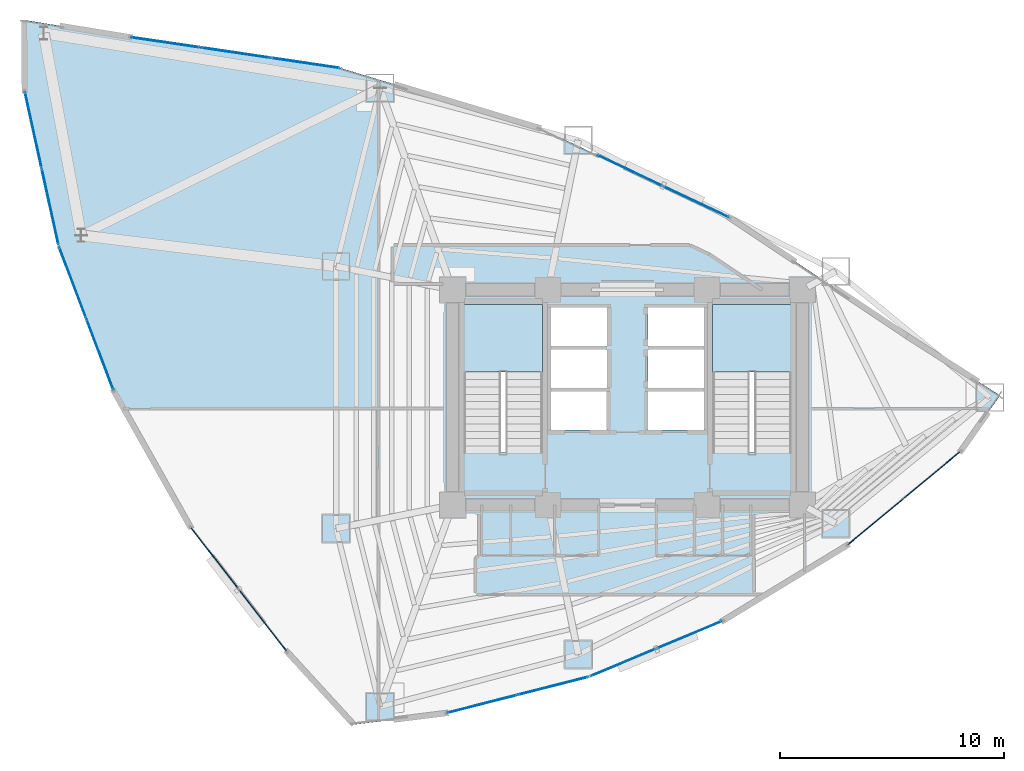
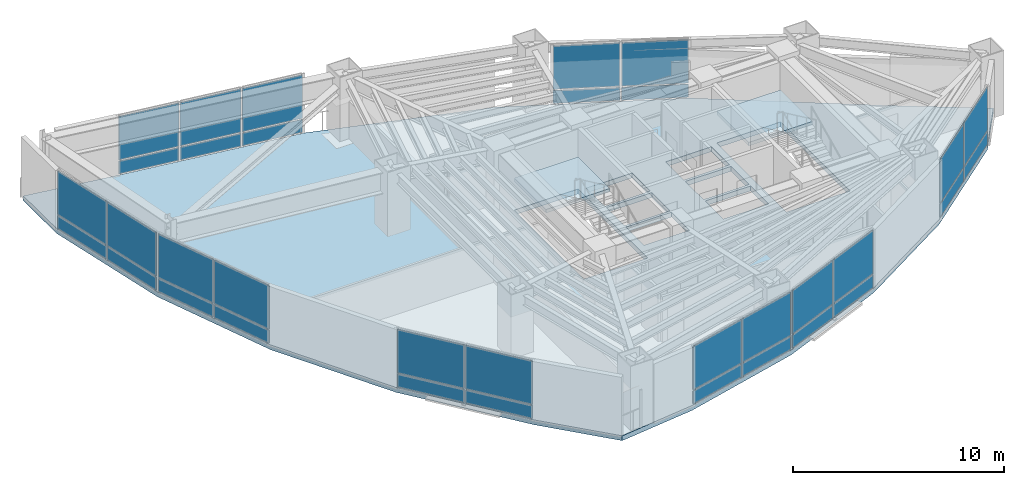
# One storey, part 18 of 23: 34 plates, 3 slabs, 10 elements without a shape of their own.
"""IFC4 building model written with IfcOpenShell, lengths in metres."""

from ifc_helpers import new_model, si_unit, direction, frame, origin, origin_2d, place, context, subcontext, project, spatial, polyline, rectangle, outline, extrude, material, layer, layer_set, type_object, element, aggregate, save


model = new_model("IFC4")

# Units and contexts
model_context = context("Model", 3, precision=1e-05, world=origin(), true_north=direction((0.0, 1.0)))
body_context = subcontext(model_context, "Body", "Model", "MODEL_VIEW")
ifc_project = project(units=[si_unit("LENGTHUNIT", "METRE"), si_unit("AREAUNIT", "SQUARE_METRE"), si_unit("VOLUMEUNIT", "CUBIC_METRE"), si_unit("PLANEANGLEUNIT", "RADIAN"), si_unit("MASSUNIT", "GRAM", prefix="KILO")], contexts=[model_context])

# Site, building, storey
site_placement = place(None, origin())
site = spatial("IfcSite", under=ifc_project, at=site_placement, CompositionType="ELEMENT")
building_placement = place(site_placement, origin())
building = spatial("IfcBuilding", under=site, at=building_placement, Name="Menara Vayukalpa", CompositionType="ELEMENT")
storey_placement = place(building_placement, frame((0.0, 0.0, 103.97998046875)))
storey = spatial("IfcBuildingStorey", under=building, at=storey_placement, Name="L25", CompositionType="ELEMENT", Elevation=103.97998046875)

# Curtain wall, plates
ifc_material_1 = material(Name="Anodised Terracotta Aluminium Alloy 6063-T6", Category="masonry")
ifc_layer_1 = layer(ifc_material_1, 0.179931640625)
ifc_layer_set_1 = layer_set([ifc_layer_1], Name="Anodised Terracotta Aluminium Alloy 6063-T6")
curtain_wall_type = type_object("IfcCurtainWallType", Name="CW-CW4", PredefinedType="USERDEFINED", material=ifc_layer_set_1)
curtain_wall_1_placement = place(storey_placement, origin())
curtain_wall_1 = element("IfcCurtainWall", 1, at=curtain_wall_1_placement, inside=storey, type_object=curtain_wall_type, Name="L25 Sky Bar Cantilever Glazed Curtain Wall CW4 05", ObjectType="UNITISED", PredefinedType="USERDEFINED")
ifc_material_2 = material(Name="Low-E Double Glazing", Category="glass")
ifc_layer_2 = layer(ifc_material_2, 0.0380859375)
ifc_layer_set_2 = layer_set([ifc_layer_2], Name="Low-E Double Glazing")
plate_type = type_object("IfcPlateType", Name="CWP-CW4", PredefinedType="CURTAIN_PANEL", material=ifc_layer_set_2)
plate_1_placement = place(storey_placement, frame((28.653076171875, 30.7216796875, 0.070068359375), z_axis=(0.0, 0.0, 1.0), x_axis=(-0.903839947796, 0.427870715016, 0.0)))
plate_1 = element("IfcPlate", 2, at=plate_1_placement, type_object=plate_type, Name="CW4 panel 1.1", PredefinedType="CURTAIN_PANEL", context=body_context, shape_type="SweptSolid", body=[
    extrude(rectangle(XDim=3.18701171875, YDim=0.0380859375, at=origin_2d()), origin(), (0.0, 0.0, 1.0), 0.7451171875),
])
plate_2_placement = place(storey_placement, frame((28.653076171875, 30.7216796875, 0.88525390625), z_axis=(0.0, 0.0, 1.0), x_axis=(-0.903839947796, 0.427870715016, 0.0)))
plate_2 = element("IfcPlate", 3, at=plate_2_placement, type_object=plate_type, Name="CW4 panel 1.2", PredefinedType="CURTAIN_PANEL", context=body_context, shape_type="SweptSolid", body=[
    extrude(rectangle(XDim=3.18701171875, YDim=0.0380859375, at=origin_2d()), origin(), (0.0, 0.0, 1.0), 2.514892578125),
])
plate_3_placement = place(storey_placement, frame((25.704833984375, 32.1171875, 0.070068359375), z_axis=(0.0, 0.0, 1.0), x_axis=(-0.903839947796, 0.427870715016, 0.0)))
plate_3 = element("IfcPlate", 4, at=plate_3_placement, type_object=plate_type, Name="CW4 panel 2.1", PredefinedType="CURTAIN_PANEL", context=body_context, shape_type="SweptSolid", body=[
    extrude(rectangle(XDim=3.18701171875, YDim=0.0380859375, at=origin_2d()), origin(), (0.0, 0.0, 1.0), 0.7451171875),
])
plate_4_placement = place(storey_placement, frame((25.704833984375, 32.1171875, 0.88525390625), z_axis=(0.0, 0.0, 1.0), x_axis=(-0.903839947796, 0.427870715016, 0.0)))
plate_4 = element("IfcPlate", 5, at=plate_4_placement, type_object=plate_type, Name="CW4 panel 2.2", PredefinedType="CURTAIN_PANEL", context=body_context, shape_type="SweptSolid", body=[
    extrude(rectangle(XDim=3.18701171875, YDim=0.0380859375, at=origin_2d()), origin(), (0.0, 0.0, 1.0), 2.514892578125),
])
aggregate(curtain_wall_1, [plate_1, plate_2, plate_3, plate_4])

curtain_wall_2_placement = place(storey_placement, origin())
curtain_wall_2 = element("IfcCurtainWall", 6, at=curtain_wall_2_placement, inside=storey, type_object=curtain_wall_type, Name="L25 Sky Bar Cantilever Glazed Curtain Wall CW4 07", ObjectType="UNITISED", PredefinedType="USERDEFINED")
plate_5_placement = place(storey_placement, frame((11.241455078125, 36.909423828125, 0.070068359375), z_axis=(0.0, 0.0, 1.0), x_axis=(-0.989365495659, 0.145450733924, 0.0)))
plate_5 = element("IfcPlate", 7, at=plate_5_placement, type_object=plate_type, Name="CW4 panel 1.1", PredefinedType="CURTAIN_PANEL", context=body_context, shape_type="SweptSolid", body=[
    extrude(rectangle(XDim=3.06005859375, YDim=0.0380859375, at=origin_2d()), origin(), (0.0, 0.0, 1.0), 0.7451171875),
])
plate_6_placement = place(storey_placement, frame((11.241455078125, 36.909423828125, 0.88525390625), z_axis=(0.0, 0.0, 1.0), x_axis=(-0.989365495659, 0.145450733924, 0.0)))
plate_6 = element("IfcPlate", 8, at=plate_6_placement, type_object=plate_type, Name="CW4 panel 1.2", PredefinedType="CURTAIN_PANEL", context=body_context, shape_type="SweptSolid", body=[
    extrude(rectangle(XDim=3.06005859375, YDim=0.0380859375, at=origin_2d()), origin(), (0.0, 0.0, 1.0), 2.514892578125),
])
plate_7_placement = place(storey_placement, frame((8.121337890625, 37.3681640625, 0.070068359375), z_axis=(0.0, 0.0, 1.0), x_axis=(-0.989365495659, 0.145450733924, 0.0)))
plate_7 = element("IfcPlate", 9, at=plate_7_placement, type_object=plate_type, Name="CW4 panel 2.1", PredefinedType="CURTAIN_PANEL", context=body_context, shape_type="SweptSolid", body=[
    extrude(rectangle(XDim=3.097412109375, YDim=0.0380859375, at=origin_2d()), origin(), (0.0, 0.0, 1.0), 0.7451171875),
])
plate_8_placement = place(storey_placement, frame((8.121337890625, 37.3681640625, 0.88525390625), z_axis=(0.0, 0.0, 1.0), x_axis=(-0.989365495659, 0.145450733924, 0.0)))
plate_8 = element("IfcPlate", 10, at=plate_8_placement, type_object=plate_type, Name="CW4 panel 2.2", PredefinedType="CURTAIN_PANEL", context=body_context, shape_type="SweptSolid", body=[
    extrude(rectangle(XDim=3.097412109375, YDim=0.0380859375, at=origin_2d()), origin(), (0.0, 0.0, 1.0), 2.514892578125),
])
plate_9_placement = place(storey_placement, frame((5.001220703125, 37.826904296875, 0.070068359375), z_axis=(0.0, 0.0, 1.0), x_axis=(-0.989365495659, 0.145450733924, 0.0)))
plate_9 = element("IfcPlate", 11, at=plate_9_placement, type_object=plate_type, Name="CW4 panel 3.1", PredefinedType="CURTAIN_PANEL", context=body_context, shape_type="SweptSolid", body=[
    extrude(rectangle(XDim=3.06005859375, YDim=0.0380859375, at=origin_2d()), origin(), (0.0, 0.0, 1.0), 0.7451171875),
])
plate_10_placement = place(storey_placement, frame((5.001220703125, 37.826904296875, 0.88525390625), z_axis=(0.0, 0.0, 1.0), x_axis=(-0.989365495659, 0.145450733924, 0.0)))
plate_10 = element("IfcPlate", 12, at=plate_10_placement, type_object=plate_type, Name="CW4 panel 3.2", PredefinedType="CURTAIN_PANEL", context=body_context, shape_type="SweptSolid", body=[
    extrude(rectangle(XDim=3.06005859375, YDim=0.0380859375, at=origin_2d()), origin(), (0.0, 0.0, 1.0), 2.514892578125),
])
aggregate(curtain_wall_2, [plate_5, plate_6, plate_7, plate_8, plate_9, plate_10])

curtain_wall_3_placement = place(storey_placement, origin())
curtain_wall_3 = element("IfcCurtainWall", 13, at=curtain_wall_3_placement, inside=storey, type_object=curtain_wall_type, Name="L25 Sky Bar Cantilever Glazed Curtain Wall CW4 10", ObjectType="UNITISED", PredefinedType="USERDEFINED")
plate_11_placement = place(storey_placement, frame((-0.8916015625, 33.92529296875, 0.070068359375), z_axis=(0.0, 0.0, 1.0), x_axis=(0.214510159112, -0.976721757533, 0.0)))
plate_11 = element("IfcPlate", 14, at=plate_11_placement, type_object=plate_type, Name="CW4 panel 1.1", PredefinedType="CURTAIN_PANEL", context=body_context, shape_type="SweptSolid", body=[
    extrude(rectangle(XDim=3.427734375, YDim=0.0380859375, at=origin_2d()), origin(), (0.0, 0.0, 1.0), 0.7451171875),
])
plate_12_placement = place(storey_placement, frame((-0.8916015625, 33.92529296875, 0.88525390625), z_axis=(0.0, 0.0, 1.0), x_axis=(0.214510159112, -0.976721757533, 0.0)))
plate_12 = element("IfcPlate", 15, at=plate_12_placement, type_object=plate_type, Name="CW4 panel 1.2", PredefinedType="CURTAIN_PANEL", context=body_context, shape_type="SweptSolid", body=[
    extrude(rectangle(XDim=3.427734375, YDim=0.0380859375, at=origin_2d()), origin(), (0.0, 0.0, 1.0), 2.514892578125),
])
plate_13_placement = place(storey_placement, frame((-0.14013671875, 30.50439453125, 0.070068359375), z_axis=(0.0, 0.0, 1.0), x_axis=(0.214510159112, -0.976721757533, 0.0)))
plate_13 = element("IfcPlate", 16, at=plate_13_placement, type_object=plate_type, Name="CW4 panel 2.1", PredefinedType="CURTAIN_PANEL", context=body_context, shape_type="SweptSolid", body=[
    extrude(rectangle(XDim=3.427734375, YDim=0.0380859375, at=origin_2d()), origin(), (0.0, 0.0, 1.0), 0.7451171875),
])
plate_14_placement = place(storey_placement, frame((-0.14013671875, 30.50439453125, 0.88525390625), z_axis=(0.0, 0.0, 1.0), x_axis=(0.214510159112, -0.976721757533, 0.0)))
plate_14 = element("IfcPlate", 17, at=plate_14_placement, type_object=plate_type, Name="CW4 panel 2.2", PredefinedType="CURTAIN_PANEL", context=body_context, shape_type="SweptSolid", body=[
    extrude(rectangle(XDim=3.427734375, YDim=0.0380859375, at=origin_2d()), origin(), (0.0, 0.0, 1.0), 2.514892578125),
])
aggregate(curtain_wall_3, [plate_11, plate_12, plate_13, plate_14])

curtain_wall_4_placement = place(storey_placement, origin())
curtain_wall_4 = element("IfcCurtainWall", 18, at=curtain_wall_4_placement, inside=storey, type_object=curtain_wall_type, Name="L25 Sky Bar Cantilever Glazed Curtain Wall CW4 11", ObjectType="UNITISED", PredefinedType="USERDEFINED")
plate_15_placement = place(storey_placement, frame((0.864501953125, 27.120361328125, 0.070068359375), z_axis=(0.0, 0.0, 1.0), x_axis=(0.354742140657, -0.934964177732, 0.0)))
plate_15 = element("IfcPlate", 19, at=plate_15_placement, type_object=plate_type, Name="CW4 panel 1.1", PredefinedType="CURTAIN_PANEL", context=body_context, shape_type="SweptSolid", body=[
    extrude(rectangle(XDim=3.35107421875, YDim=0.0380859375, at=origin_2d()), origin(), (0.0, 0.0, 1.0), 0.7451171875),
])
plate_16_placement = place(storey_placement, frame((0.864501953125, 27.120361328125, 0.88525390625), z_axis=(0.0, 0.0, 1.0), x_axis=(0.354742140657, -0.934964177732, 0.0)))
plate_16 = element("IfcPlate", 20, at=plate_16_placement, type_object=plate_type, Name="CW4 panel 1.2", PredefinedType="CURTAIN_PANEL", context=body_context, shape_type="SweptSolid", body=[
    extrude(rectangle(XDim=3.35107421875, YDim=0.0380859375, at=origin_2d()), origin(), (0.0, 0.0, 1.0), 2.514892578125),
])
plate_17_placement = place(storey_placement, frame((2.079833984375, 23.917236328125, 0.070068359375), z_axis=(0.0, 0.0, 1.0), x_axis=(0.354742140657, -0.934964177732, 0.0)))
plate_17 = element("IfcPlate", 21, at=plate_17_placement, type_object=plate_type, Name="CW4 panel 2.1", PredefinedType="CURTAIN_PANEL", context=body_context, shape_type="SweptSolid", body=[
    extrude(rectangle(XDim=3.35107421875, YDim=0.0380859375, at=origin_2d()), origin(), (0.0, 0.0, 1.0), 0.7451171875),
])
plate_18_placement = place(storey_placement, frame((2.079833984375, 23.917236328125, 0.88525390625), z_axis=(0.0, 0.0, 1.0), x_axis=(0.354742140657, -0.934964177732, 0.0)))
plate_18 = element("IfcPlate", 22, at=plate_18_placement, type_object=plate_type, Name="CW4 panel 2.2", PredefinedType="CURTAIN_PANEL", context=body_context, shape_type="SweptSolid", body=[
    extrude(rectangle(XDim=3.35107421875, YDim=0.0380859375, at=origin_2d()), origin(), (0.0, 0.0, 1.0), 2.514892578125),
])
aggregate(curtain_wall_4, [plate_15, plate_16, plate_17, plate_18])

curtain_wall_5_placement = place(storey_placement, origin())
curtain_wall_5 = element("IfcCurtainWall", 23, at=curtain_wall_5_placement, inside=storey, type_object=curtain_wall_type, Name="L25 Sky Bar Cantilever Glazed Curtain Wall CW4 13", ObjectType="UNITISED", PredefinedType="USERDEFINED")
plate_19_placement = place(storey_placement, frame((7.19189453125, 14.82861328125, 0.070068359375), z_axis=(0.0, 0.0, 1.0), x_axis=(0.612188860273, -0.790711577857, 0.0)))
plate_19 = element("IfcPlate", 24, at=plate_19_placement, type_object=plate_type, Name="CW4 panel 1.1", PredefinedType="CURTAIN_PANEL", context=body_context, shape_type="SweptSolid", body=[
    extrude(rectangle(XDim=3.427734375, YDim=0.0380859375, at=origin_2d()), origin(), (0.0, 0.0, 1.0), 0.7451171875),
])
plate_20_placement = place(storey_placement, frame((7.19189453125, 14.82861328125, 0.88525390625), z_axis=(0.0, 0.0, 1.0), x_axis=(0.612188860273, -0.790711577857, 0.0)))
plate_20 = element("IfcPlate", 25, at=plate_20_placement, type_object=plate_type, Name="CW4 panel 1.2", PredefinedType="CURTAIN_PANEL", context=body_context, shape_type="SweptSolid", body=[
    extrude(rectangle(XDim=3.427734375, YDim=0.0380859375, at=origin_2d()), origin(), (0.0, 0.0, 1.0), 2.514892578125),
])
plate_21_placement = place(storey_placement, frame((9.336181640625, 12.05908203125, 0.070068359375), z_axis=(0.0, 0.0, 1.0), x_axis=(0.612188860273, -0.790711577857, 0.0)))
plate_21 = element("IfcPlate", 26, at=plate_21_placement, type_object=plate_type, Name="CW4 panel 2.1", PredefinedType="CURTAIN_PANEL", context=body_context, shape_type="SweptSolid", body=[
    extrude(rectangle(XDim=3.427734375, YDim=0.0380859375, at=origin_2d()), origin(), (0.0, 0.0, 1.0), 0.7451171875),
])
plate_22_placement = place(storey_placement, frame((9.336181640625, 12.05908203125, 0.88525390625), z_axis=(0.0, 0.0, 1.0), x_axis=(0.612188860273, -0.790711577857, 0.0)))
plate_22 = element("IfcPlate", 27, at=plate_22_placement, type_object=plate_type, Name="CW4 panel 2.2", PredefinedType="CURTAIN_PANEL", context=body_context, shape_type="SweptSolid", body=[
    extrude(rectangle(XDim=3.427734375, YDim=0.0380859375, at=origin_2d()), origin(), (0.0, 0.0, 1.0), 2.514892578125),
])
aggregate(curtain_wall_5, [plate_19, plate_20, plate_21, plate_22])

curtain_wall_6_placement = place(storey_placement, origin())
curtain_wall_6 = element("IfcCurtainWall", 28, at=curtain_wall_6_placement, inside=storey, type_object=curtain_wall_type, Name="L25 Sky Bar Cantilever Glazed Curtain Wall CW4 16", ObjectType="UNITISED", PredefinedType="USERDEFINED")
plate_23_placement = place(storey_placement, frame((19.1279296875, 8.33349609375, 0.070068359375), z_axis=(0.0, 0.0, 1.0), x_axis=(0.968982181476, 0.247130597017, 0.0)))
plate_23 = element("IfcPlate", 29, at=plate_23_placement, type_object=plate_type, Name="CW4 panel 1.1", PredefinedType="CURTAIN_PANEL", context=body_context, shape_type="SweptSolid", body=[
    extrude(rectangle(XDim=3.1884765625, YDim=0.0380859375, at=origin_2d()), origin(), (0.0, 0.0, 1.0), 0.7451171875),
])
plate_24_placement = place(storey_placement, frame((19.1279296875, 8.33349609375, 0.88525390625), z_axis=(0.0, 0.0, 1.0), x_axis=(0.968982181476, 0.247130597017, 0.0)))
plate_24 = element("IfcPlate", 30, at=plate_24_placement, type_object=plate_type, Name="CW4 panel 1.2", PredefinedType="CURTAIN_PANEL", context=body_context, shape_type="SweptSolid", body=[
    extrude(rectangle(XDim=3.1884765625, YDim=0.0380859375, at=origin_2d()), origin(), (0.0, 0.0, 1.0), 2.514892578125),
])
plate_25_placement = place(storey_placement, frame((22.2900390625, 9.139892578125, 0.070068359375), z_axis=(0.0, 0.0, 1.0), x_axis=(0.968982181476, 0.247130597017, 0.0)))
plate_25 = element("IfcPlate", 31, at=plate_25_placement, type_object=plate_type, Name="CW4 panel 2.1", PredefinedType="CURTAIN_PANEL", context=body_context, shape_type="SweptSolid", body=[
    extrude(rectangle(XDim=3.1884765625, YDim=0.0380859375, at=origin_2d()), origin(), (0.0, 0.0, 1.0), 0.7451171875),
])
plate_26_placement = place(storey_placement, frame((22.2900390625, 9.139892578125, 0.88525390625), z_axis=(0.0, 0.0, 1.0), x_axis=(0.968982181476, 0.247130597017, 0.0)))
plate_26 = element("IfcPlate", 32, at=plate_26_placement, type_object=plate_type, Name="CW4 panel 2.2", PredefinedType="CURTAIN_PANEL", context=body_context, shape_type="SweptSolid", body=[
    extrude(rectangle(XDim=3.1884765625, YDim=0.0380859375, at=origin_2d()), origin(), (0.0, 0.0, 1.0), 2.514892578125),
])
aggregate(curtain_wall_6, [plate_23, plate_24, plate_25, plate_26])

curtain_wall_7_placement = place(storey_placement, origin())
curtain_wall_7 = element("IfcCurtainWall", 33, at=curtain_wall_7_placement, inside=storey, type_object=curtain_wall_type, Name="L25 Sky Bar Cantilever Glazed Curtain Wall CW4 17", ObjectType="UNITISED", PredefinedType="USERDEFINED")
plate_27_placement = place(storey_placement, frame((25.414306640625, 10.1826171875, 0.070068359375), z_axis=(0.0, 0.0, 1.0), x_axis=(0.922543300632, 0.38589358437, 0.0)))
plate_27 = element("IfcPlate", 34, at=plate_27_placement, type_object=plate_type, Name="CW4 panel 1.1", PredefinedType="CURTAIN_PANEL", context=body_context, shape_type="SweptSolid", body=[
    extrude(rectangle(XDim=3.116943359375, YDim=0.0380859375, at=origin_2d()), origin(), (0.0, 0.0, 1.0), 0.7451171875),
])
plate_28_placement = place(storey_placement, frame((25.414306640625, 10.1826171875, 0.88525390625), z_axis=(0.0, 0.0, 1.0), x_axis=(0.922543300632, 0.38589358437, 0.0)))
plate_28 = element("IfcPlate", 35, at=plate_28_placement, type_object=plate_type, Name="CW4 panel 1.2", PredefinedType="CURTAIN_PANEL", context=body_context, shape_type="SweptSolid", body=[
    extrude(rectangle(XDim=3.116943359375, YDim=0.0380859375, at=origin_2d()), origin(), (0.0, 0.0, 1.0), 2.514892578125),
])
plate_29_placement = place(storey_placement, frame((28.35888671875, 11.41455078125, 0.070068359375), z_axis=(0.0, 0.0, 1.0), x_axis=(0.922543300632, 0.38589358437, 0.0)))
plate_29 = element("IfcPlate", 36, at=plate_29_placement, type_object=plate_type, Name="CW4 panel 2.1", PredefinedType="CURTAIN_PANEL", context=body_context, shape_type="SweptSolid", body=[
    extrude(rectangle(XDim=3.116943359375, YDim=0.0380859375, at=origin_2d()), origin(), (0.0, 0.0, 1.0), 0.7451171875),
])
plate_30_placement = place(storey_placement, frame((28.35888671875, 11.41455078125, 0.88525390625), z_axis=(0.0, 0.0, 1.0), x_axis=(0.922543300632, 0.38589358437, 0.0)))
plate_30 = element("IfcPlate", 37, at=plate_30_placement, type_object=plate_type, Name="CW4 panel 2.2", PredefinedType="CURTAIN_PANEL", context=body_context, shape_type="SweptSolid", body=[
    extrude(rectangle(XDim=3.116943359375, YDim=0.0380859375, at=origin_2d()), origin(), (0.0, 0.0, 1.0), 2.514892578125),
])
aggregate(curtain_wall_7, [plate_27, plate_28, plate_29, plate_30])

curtain_wall_8_placement = place(storey_placement, origin())
curtain_wall_8 = element("IfcCurtainWall", 38, at=curtain_wall_8_placement, inside=storey, type_object=curtain_wall_type, Name="L25 Sky Bar Cantilever Glazed Curtain Wall CW4 19", ObjectType="UNITISED", PredefinedType="USERDEFINED")
plate_31_placement = place(storey_placement, frame((36.6708984375, 16.463623046875, 0.070068359375), z_axis=(0.0, 0.0, 1.0), x_axis=(0.769749972797, 0.638345501574, 0.0)))
plate_31 = element("IfcPlate", 39, at=plate_31_placement, type_object=plate_type, Name="CW4 panel 1.1", PredefinedType="CURTAIN_PANEL", context=body_context, shape_type="SweptSolid", body=[
    extrude(rectangle(XDim=3.1884765625, YDim=0.0380859375, at=origin_2d()), origin(), (0.0, 0.0, 1.0), 0.7451171875),
])
plate_32_placement = place(storey_placement, frame((36.6708984375, 16.463623046875, 0.88525390625), z_axis=(0.0, 0.0, 1.0), x_axis=(0.769749972797, 0.638345501574, 0.0)))
plate_32 = element("IfcPlate", 40, at=plate_32_placement, type_object=plate_type, Name="CW4 panel 1.2", PredefinedType="CURTAIN_PANEL", context=body_context, shape_type="SweptSolid", body=[
    extrude(rectangle(XDim=3.1884765625, YDim=0.0380859375, at=origin_2d()), origin(), (0.0, 0.0, 1.0), 2.514892578125),
])
plate_33_placement = place(storey_placement, frame((39.182861328125, 18.546875, 0.070068359375), z_axis=(0.0, 0.0, 1.0), x_axis=(0.769749972797, 0.638345501574, 0.0)))
plate_33 = element("IfcPlate", 41, at=plate_33_placement, type_object=plate_type, Name="CW4 panel 2.1", PredefinedType="CURTAIN_PANEL", context=body_context, shape_type="SweptSolid", body=[
    extrude(rectangle(XDim=3.1884765625, YDim=0.0380859375, at=origin_2d()), origin(), (0.0, 0.0, 1.0), 0.7451171875),
])
plate_34_placement = place(storey_placement, frame((39.182861328125, 18.546875, 0.88525390625), z_axis=(0.0, 0.0, 1.0), x_axis=(0.769749972797, 0.638345501574, 0.0)))
plate_34 = element("IfcPlate", 42, at=plate_34_placement, type_object=plate_type, Name="CW4 panel 2.2", PredefinedType="CURTAIN_PANEL", context=body_context, shape_type="SweptSolid", body=[
    extrude(rectangle(XDim=3.1884765625, YDim=0.0380859375, at=origin_2d()), origin(), (0.0, 0.0, 1.0), 2.514892578125),
])
aggregate(curtain_wall_8, [plate_31, plate_32, plate_33, plate_34])

# Slab
ifc_material_3 = material(Name="Concrete C40/50", Category="concrete")
ifc_layer_3 = layer(ifc_material_3, 0.280029296875)
ifc_layer_set_3 = layer_set([ifc_layer_3], Name="Concrete C40/50")
slab_type_1 = type_object("IfcSlabType", Name="SLB-FL280", PredefinedType="FLOOR", material=ifc_layer_set_3)
slab_1_placement = place(storey_placement, frame((0.0, 0.0, -0.280029296875)))
element("IfcSlab", 43, at=slab_1_placement, inside=storey, type_object=slab_type_1, Name="L25 Sky Bar Structural Floor Slab", PredefinedType="FLOOR", context=body_context, shape_type="SweptSolid", body=[
    extrude(outline(polyline([(40.4677734375, 19.6123046875), (42.214111328125, 22.083984375), (38.076904296875, 24.7236328125), (30.1611328125, 30.0078125), (21.745361328125, 33.99169921875), (12.829345703125, 36.676025390625), (3.4130859375, 38.060302734375), (-1.298583984375, 38.8251953125), (-1.275390625, 35.672607421875), (0.243408203125, 28.757080078125), (2.70068359375, 22.280517578125), (6.0966796875, 16.2431640625), (10.43115234375, 10.64453125), (13.396240234375, 7.407958984375), (17.510498046875, 7.9208984375), (23.907470703125, 9.552490234375), (29.865966796875, 12.044921875), (35.385986328125, 15.398193359375), (40.4677734375, 19.6123046875)]), holes=[polyline([(21.800048828125, 19.550048828125), (21.800048828125, 26.14990234375), (18.300048828125, 26.14990234375), (18.300048828125, 19.550048828125), (21.800048828125, 19.550048828125)]), polyline([(32.89990234375, 19.550048828125), (32.89990234375, 26.14990234375), (29.39990234375, 26.14990234375), (29.39990234375, 19.550048828125), (32.89990234375, 19.550048828125)]), polyline([(22.179931640625, 20.550048828125), (24.679931640625, 20.550048828125), (24.679931640625, 22.27001953125), (22.179931640625, 22.27001953125), (22.179931640625, 20.550048828125)]), polyline([(26.52001953125, 20.550048828125), (29.02001953125, 20.550048828125), (29.02001953125, 22.27001953125), (26.52001953125, 22.27001953125), (26.52001953125, 20.550048828125)]), polyline([(22.179931640625, 22.419921875), (24.679931640625, 22.419921875), (24.679931640625, 24.139892578125), (22.179931640625, 24.139892578125), (22.179931640625, 22.419921875)]), polyline([(22.179931640625, 24.2900390625), (24.679931640625, 24.2900390625), (24.679931640625, 26.010009765625), (22.179931640625, 26.010009765625), (22.179931640625, 24.2900390625)]), polyline([(26.52001953125, 24.2900390625), (29.02001953125, 24.2900390625), (29.02001953125, 26.010009765625), (26.52001953125, 26.010009765625), (26.52001953125, 24.2900390625)]), polyline([(26.52001953125, 22.419921875), (29.02001953125, 22.419921875), (29.02001953125, 24.139892578125), (26.52001953125, 24.139892578125), (26.52001953125, 22.419921875)])]), origin(), (0.0, 0.0, 1.0), 0.280029296875),
])

# Stair, slab
ifc_material_4 = material(Name="Precast Concrete C40/50", Category="concrete")
stair_type = type_object("IfcStairType", Name="STR-T04", PredefinedType="DOUBLE_RETURN_STAIR", material=ifc_material_4)
stair_1_placement = place(storey_placement, origin())
stair_1 = element("IfcStair", 44, at=stair_1_placement, inside=storey, type_object=stair_type, Name="L25 Core Exit Stair ST-1", PredefinedType="DOUBLE_RETURN_STAIR")
ifc_material_5 = material(Name="Precast Concrete C40/50", Category="concrete")
ifc_layer_4 = layer(ifc_material_5, 0.199951171875)
ifc_layer_set_4 = layer_set([ifc_layer_4], Name="Precast Concrete C40/50")
slab_type_2 = type_object("IfcSlabType", Name="SLB-LND200", PredefinedType="LANDING", material=ifc_layer_set_4)
slab_2_placement = place(storey_placement, frame((0.0, 0.0, 1.659912109375)))
slab_2 = element("IfcSlab", 45, at=slab_2_placement, type_object=slab_type_2, Name="ST-1 landing 1", PredefinedType="LANDING", context=body_context, shape_type="SweptSolid", body=[
    extrude(outline(polyline([(21.800048828125, 23.1298828125), (21.800048828125, 26.14990234375), (18.300048828125, 26.14990234375), (18.300048828125, 23.1298828125), (21.800048828125, 23.1298828125)])), origin(), (0.0, 0.0, 1.0), 0.2001953125),
])
aggregate(stair_1, [slab_2])

stair_2_placement = place(storey_placement, origin())
stair_2 = element("IfcStair", 46, at=stair_2_placement, inside=storey, type_object=stair_type, Name="L25 Core Exit Stair ST-2", PredefinedType="DOUBLE_RETURN_STAIR")
slab_3_placement = place(storey_placement, frame((0.0, 0.0, 1.659912109375)))
slab_3 = element("IfcSlab", 47, at=slab_3_placement, type_object=slab_type_2, Name="ST-2 landing 1", PredefinedType="LANDING", context=body_context, shape_type="SweptSolid", body=[
    extrude(outline(polyline([(32.89990234375, 23.1298828125), (32.89990234375, 26.14990234375), (29.39990234375, 26.14990234375), (29.39990234375, 23.1298828125), (32.89990234375, 23.1298828125)])), origin(), (0.0, 0.0, 1.0), 0.2001953125),
])
aggregate(stair_2, [slab_3])

save(model, "model.ifc")
